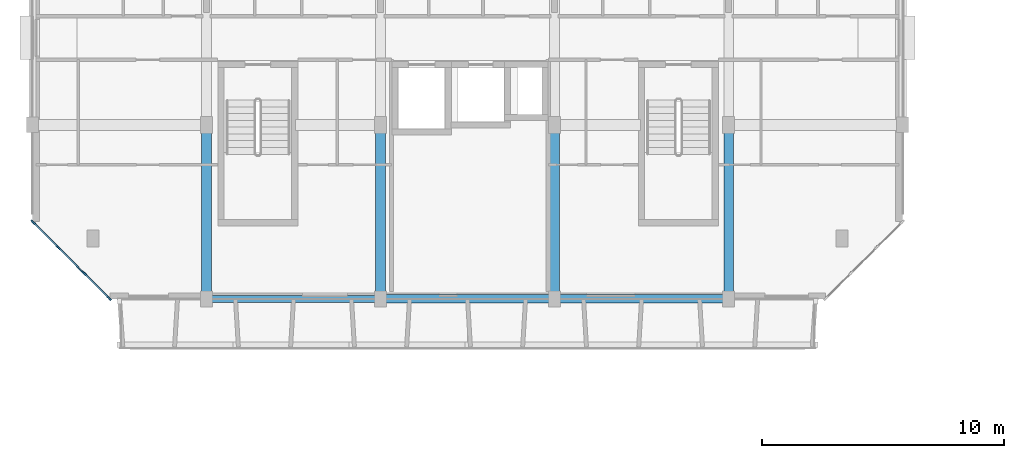
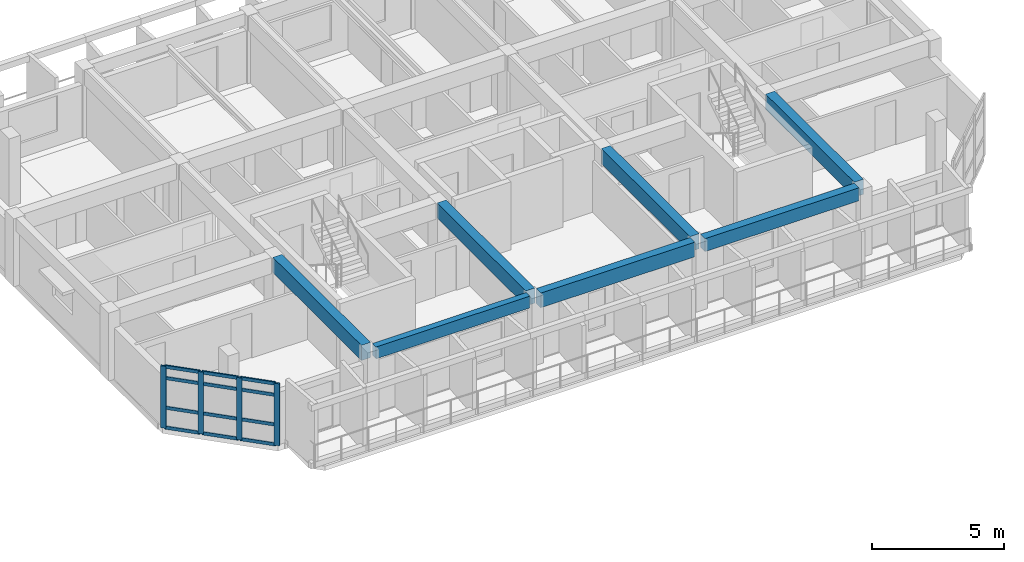
# One storey, part 4 of 51: 16 members, 7 beams, 1 element without a shape of its own.
"""IFC4 building model written with IfcOpenShell, lengths in metres."""

from ifc_helpers import new_model, si_unit, direction, frame, origin, origin_2d, place, context, subcontext, project, spatial, rectangle, extrude, material, layer, layer_set, material_profile, profile_set, type_object, element, aggregate, save


model = new_model("IFC4")

# Units and contexts
model_context = context("Model", 3, precision=1e-05, world=origin(), true_north=direction((0.0, 1.0)))
body_context = subcontext(model_context, "Body", "Model", "MODEL_VIEW")
ifc_project = project(units=[si_unit("LENGTHUNIT", "METRE"), si_unit("AREAUNIT", "SQUARE_METRE"), si_unit("VOLUMEUNIT", "CUBIC_METRE"), si_unit("PLANEANGLEUNIT", "RADIAN"), si_unit("MASSUNIT", "GRAM", prefix="KILO")], contexts=[model_context])

# Site, building, storey
site_placement = place(None, origin())
site = spatial("IfcSite", under=ifc_project, at=site_placement, CompositionType="ELEMENT")
building_placement = place(site_placement, origin())
building = spatial("IfcBuilding", under=site, at=building_placement, Name="Ochrevale Crest", CompositionType="ELEMENT")
storey_placement = place(building_placement, frame((0.0, 0.0, 11.85009765625)))
storey = spatial("IfcBuildingStorey", under=building, at=storey_placement, Name="L03", CompositionType="ELEMENT", Elevation=11.85009765625)

# Beams
ifc_material_1 = material(Name="Precast concrete C50/60", Category="concrete")
ifc_material_profile_1 = material_profile(ifc_material_1, rectangle(XDim=0.39990234375, YDim=0.699951171875, at=origin_2d()), Name="PC 400x700")
ifc_profile_set_1 = profile_set([ifc_material_profile_1], Name="Precast concrete C50/60")
beam_type_1 = type_object("IfcBeamType", Name="BM-PC400x700", PredefinedType="BEAM", material=ifc_profile_set_1)
for number, where, z_axis, x_axis, name in (
    (1, (7.199951171875, 72.22998046875, 2.7998046875), (0.0, 1.0, 0.0), (-1.0, 0.0, 0.0), "Block B L03 N-S beam X=7.2"),
    (2, (14.39990234375, 72.22998046875, 2.7998046875), (0.0, 1.0, 0.0), (-1.0, 0.0, 0.0), "Block B L03 N-S beam X=14.4"),
    (3, (21.60009765625, 72.22998046875, 2.7998046875), (0.0, 1.0, 0.0), (-1.0, 0.0, 0.0), "Block B L03 N-S beam X=21.6"),
    (4, (28.800048828125, 72.22998046875, 2.7998046875), (0.0, 1.0, 0.0), (-1.0, 0.0, 0.0), "Block B L03 N-S beam X=28.8"),
):
    element("IfcBeam", number, at=place(storey_placement, frame(where, z_axis=z_axis, x_axis=x_axis)), inside=storey, type_object=beam_type_1, Name=name, PredefinedType="BEAM", context=body_context, shape_type="SweptSolid", body=[
        extrude(rectangle(XDim=0.39990234375, YDim=0.699951171875, at=origin_2d()), origin(), (0.0, 0.0, 1.0), 6.739990234375),
    ])
ifc_material_2 = material(Name="Precast concrete C40/50", Category="concrete")
ifc_material_profile_2 = material_profile(ifc_material_2, rectangle(XDim=0.280029296875, YDim=0.550048828125, at=origin_2d()), Name="PC 280x550")
ifc_profile_set_2 = profile_set([ifc_material_profile_2], Name="Precast concrete C40/50")
beam_type_2 = type_object("IfcBeamType", Name="BM-SP280x550", PredefinedType="SPANDREL", material=ifc_profile_set_2)
beam_1_placement = place(storey_placement, frame((7.425048828125, 72.0, 2.875), z_axis=(1.0, 0.0, 0.0), x_axis=(0.0, 1.0, 0.0)))
element("IfcBeam", 5, at=beam_1_placement, inside=storey, type_object=beam_type_2, Name="Block B L03 E-W beam Y=72.0", PredefinedType="SPANDREL", context=body_context, shape_type="SweptSolid", body=[
    extrude(rectangle(XDim=0.280029296875, YDim=0.550048828125, at=origin_2d()), origin(), (0.0, 0.0, 1.0), 6.75),
])
ifc_material_profile_3 = material_profile(ifc_material_2, rectangle(XDim=0.35009765625, YDim=0.60009765625, at=origin_2d()), Name="PC 350x600")
ifc_profile_set_3 = profile_set([ifc_material_profile_3], Name="Precast concrete C40/50")
beam_type_3 = type_object("IfcBeamType", Name="BM-SP350x600", PredefinedType="SPANDREL", material=ifc_profile_set_3)
beam_2_placement = place(storey_placement, frame((21.824951171875, 72.0, 2.849853515625), z_axis=(1.0, 0.0, 0.0), x_axis=(0.0, 1.0, 0.0)))
element("IfcBeam", 6, at=beam_2_placement, inside=storey, type_object=beam_type_3, Name="Block B L03 E-W beam Y=72.0", PredefinedType="SPANDREL", context=body_context, shape_type="SweptSolid", body=[
    extrude(rectangle(XDim=0.35009765625, YDim=0.60009765625, at=origin_2d()), origin(), (0.0, 0.0, 1.0), 6.75),
])
ifc_material_profile_4 = material_profile(ifc_material_2, rectangle(XDim=0.35009765625, YDim=0.679931640625, at=origin_2d()), Name="PC 350x680")
ifc_profile_set_4 = profile_set([ifc_material_profile_4], Name="Precast concrete C40/50")
beam_type_4 = type_object("IfcBeamType", Name="BM-SP350x680", PredefinedType="SPANDREL", material=ifc_profile_set_4)
beam_3_placement = place(storey_placement, frame((14.625, 72.0, 2.809814453125), z_axis=(1.0, 0.0, 0.0), x_axis=(0.0, 1.0, 0.0)))
element("IfcBeam", 7, at=beam_3_placement, inside=storey, type_object=beam_type_4, Name="Block B L03 E-W beam Y=72.0", PredefinedType="SPANDREL", context=body_context, shape_type="SweptSolid", body=[
    extrude(rectangle(XDim=0.35009765625, YDim=0.679931640625, at=origin_2d()), origin(), (0.0, 0.0, 1.0), 6.75),
])

# Curtain wall, members
ifc_material_3 = material(Name="Anodised aluminium 6063-T5", Category="aluminium")
ifc_layer = layer(ifc_material_3, 0.14990234375)
ifc_layer_set = layer_set([ifc_layer], Name="Anodised aluminium 6063-T5")
curtain_wall_type = type_object("IfcCurtainWallType", Name="CW-WG-280x285", PredefinedType="NOTDEFINED", material=ifc_layer_set)
curtain_wall_placement = place(storey_placement, origin())
curtain_wall = element("IfcCurtainWall", 8, at=curtain_wall_placement, inside=storey, type_object=curtain_wall_type, Name="Block B L03 chamfered corner wintergarden curtain wall 8", PredefinedType="NOTDEFINED")
ifc_material_profile_5 = material_profile(ifc_material_3, rectangle(XDim=0.074951171875, YDim=0.219970703125, at=origin_2d()), Name="ALU 75x220")
ifc_profile_set_5 = profile_set([ifc_material_profile_5], Name="Anodised aluminium 6063-T5")
member_type_1 = type_object("IfcMemberType", Name="CW-MUL-75x220", PredefinedType="MULLION", material=ifc_profile_set_5)
member_1_placement = place(storey_placement, frame((0.026611328125, 75.173583984375, 0.0), z_axis=(0.0, 0.0, 1.0), x_axis=(0.707106781187, 0.707106781187, 0.0)))
member_1 = element("IfcMember", 9, at=member_1_placement, type_object=member_type_1, Name="CW16 mullion 1", PredefinedType="MULLION", context=body_context, shape_type="SweptSolid", body=[
    extrude(rectangle(XDim=0.074951171875, YDim=0.219970703125, at=origin_2d()), origin(), (0.0, 0.0, 1.0), 2.875),
])
member_2_placement = place(storey_placement, frame((1.066650390625, 74.13330078125, 0.0), z_axis=(0.0, 0.0, 1.0), x_axis=(0.707106781187, 0.707106781187, 0.0)))
member_2 = element("IfcMember", 10, at=member_2_placement, type_object=member_type_1, Name="CW16 mullion 2", PredefinedType="MULLION", context=body_context, shape_type="SweptSolid", body=[
    extrude(rectangle(XDim=0.074951171875, YDim=0.219970703125, at=origin_2d()), origin(), (0.0, 0.0, 1.0), 2.875),
])
member_3_placement = place(storey_placement, frame((2.13330078125, 73.066650390625, 0.0), z_axis=(0.0, 0.0, 1.0), x_axis=(0.707106781187, 0.707106781187, 0.0)))
member_3 = element("IfcMember", 11, at=member_3_placement, type_object=member_type_1, Name="CW16 mullion 3", PredefinedType="MULLION", context=body_context, shape_type="SweptSolid", body=[
    extrude(rectangle(XDim=0.074951171875, YDim=0.219970703125, at=origin_2d()), origin(), (0.0, 0.0, 1.0), 2.875),
])
member_4_placement = place(storey_placement, frame((3.173583984375, 72.026611328125, 0.0), z_axis=(0.0, 0.0, 1.0), x_axis=(0.707106781187, 0.707106781187, 0.0)))
member_4 = element("IfcMember", 12, at=member_4_placement, type_object=member_type_1, Name="CW16 mullion 4", PredefinedType="MULLION", context=body_context, shape_type="SweptSolid", body=[
    extrude(rectangle(XDim=0.074951171875, YDim=0.219970703125, at=origin_2d()), origin(), (0.0, 0.0, 1.0), 2.875),
])
ifc_material_profile_6 = material_profile(ifc_material_3, rectangle(XDim=0.06005859375, YDim=0.14990234375, at=origin_2d()), Name="ALU 60x150")
ifc_profile_set_6 = profile_set([ifc_material_profile_6], Name="Anodised aluminium 6063-T5")
member_type_2 = type_object("IfcMemberType", Name="CW-TRN-60x150", PredefinedType="USERDEFINED", material=ifc_profile_set_6)
member_5_placement = place(storey_placement, frame((0.052978515625, 75.14697265625, 0.02978515625), z_axis=(0.707106781187, -0.707106781187, 0.0), x_axis=(0.707106781187, 0.707106781187, 0.0)))
member_5 = element("IfcMember", 13, at=member_5_placement, type_object=member_type_2, Name="CW16 transom 1.1", ObjectType="TRANSOM", PredefinedType="USERDEFINED", context=body_context, shape_type="SweptSolid", body=[
    extrude(rectangle(XDim=0.06005859375, YDim=0.14990234375, at=origin_2d()), origin(), (0.0, 0.0, 1.0), 1.39599609375),
])
member_6_placement = place(storey_placement, frame((0.052978515625, 75.14697265625, 0.949951171875), z_axis=(0.707106781187, -0.707106781187, 0.0), x_axis=(0.707106781187, 0.707106781187, 0.0)))
member_6 = element("IfcMember", 14, at=member_6_placement, type_object=member_type_2, Name="CW16 transom 1.2", ObjectType="TRANSOM", PredefinedType="USERDEFINED", context=body_context, shape_type="SweptSolid", body=[
    extrude(rectangle(XDim=0.06005859375, YDim=0.14990234375, at=origin_2d()), origin(), (0.0, 0.0, 1.0), 1.39599609375),
])
member_7_placement = place(storey_placement, frame((0.052978515625, 75.14697265625, 2.324951171875), z_axis=(0.707106781187, -0.707106781187, 0.0), x_axis=(0.707106781187, 0.707106781187, 0.0)))
member_7 = element("IfcMember", 15, at=member_7_placement, type_object=member_type_2, Name="CW16 transom 1.3", ObjectType="TRANSOM", PredefinedType="USERDEFINED", context=body_context, shape_type="SweptSolid", body=[
    extrude(rectangle(XDim=0.06005859375, YDim=0.14990234375, at=origin_2d()), origin(), (0.0, 0.0, 1.0), 1.39599609375),
])
member_8_placement = place(storey_placement, frame((0.052978515625, 75.14697265625, 2.844970703125), z_axis=(0.707106781187, -0.707106781187, 0.0), x_axis=(0.707106781187, 0.707106781187, 0.0)))
member_8 = element("IfcMember", 16, at=member_8_placement, type_object=member_type_2, Name="CW16 transom 1.4", ObjectType="TRANSOM", PredefinedType="USERDEFINED", context=body_context, shape_type="SweptSolid", body=[
    extrude(rectangle(XDim=0.06005859375, YDim=0.14990234375, at=origin_2d()), origin(), (0.0, 0.0, 1.0), 1.39599609375),
])
member_9_placement = place(storey_placement, frame((1.09326171875, 74.10693359375, 0.02978515625), z_axis=(0.707106781187, -0.707106781187, 0.0), x_axis=(0.707106781187, 0.707106781187, 0.0)))
member_9 = element("IfcMember", 17, at=member_9_placement, type_object=member_type_2, Name="CW16 transom 2.1", ObjectType="TRANSOM", PredefinedType="USERDEFINED", context=body_context, shape_type="SweptSolid", body=[
    extrude(rectangle(XDim=0.06005859375, YDim=0.14990234375, at=origin_2d()), origin(), (0.0, 0.0, 1.0), 1.43359375),
])
member_10_placement = place(storey_placement, frame((1.09326171875, 74.10693359375, 0.949951171875), z_axis=(0.707106781187, -0.707106781187, 0.0), x_axis=(0.707106781187, 0.707106781187, 0.0)))
member_10 = element("IfcMember", 18, at=member_10_placement, type_object=member_type_2, Name="CW16 transom 2.2", ObjectType="TRANSOM", PredefinedType="USERDEFINED", context=body_context, shape_type="SweptSolid", body=[
    extrude(rectangle(XDim=0.06005859375, YDim=0.14990234375, at=origin_2d()), origin(), (0.0, 0.0, 1.0), 1.43359375),
])
member_11_placement = place(storey_placement, frame((1.09326171875, 74.10693359375, 2.324951171875), z_axis=(0.707106781187, -0.707106781187, 0.0), x_axis=(0.707106781187, 0.707106781187, 0.0)))
member_11 = element("IfcMember", 19, at=member_11_placement, type_object=member_type_2, Name="CW16 transom 2.3", ObjectType="TRANSOM", PredefinedType="USERDEFINED", context=body_context, shape_type="SweptSolid", body=[
    extrude(rectangle(XDim=0.06005859375, YDim=0.14990234375, at=origin_2d()), origin(), (0.0, 0.0, 1.0), 1.43359375),
])
member_12_placement = place(storey_placement, frame((1.09326171875, 74.10693359375, 2.844970703125), z_axis=(0.707106781187, -0.707106781187, 0.0), x_axis=(0.707106781187, 0.707106781187, 0.0)))
member_12 = element("IfcMember", 20, at=member_12_placement, type_object=member_type_2, Name="CW16 transom 2.4", ObjectType="TRANSOM", PredefinedType="USERDEFINED", context=body_context, shape_type="SweptSolid", body=[
    extrude(rectangle(XDim=0.06005859375, YDim=0.14990234375, at=origin_2d()), origin(), (0.0, 0.0, 1.0), 1.43359375),
])
member_13_placement = place(storey_placement, frame((2.159912109375, 73.0400390625, 0.02978515625), z_axis=(0.707106781187, -0.707106781187, 0.0), x_axis=(0.707106781187, 0.707106781187, 0.0)))
member_13 = element("IfcMember", 21, at=member_13_placement, type_object=member_type_2, Name="CW16 transom 3.1", ObjectType="TRANSOM", PredefinedType="USERDEFINED", context=body_context, shape_type="SweptSolid", body=[
    extrude(rectangle(XDim=0.06005859375, YDim=0.14990234375, at=origin_2d()), origin(), (0.0, 0.0, 1.0), 1.39599609375),
])
member_14_placement = place(storey_placement, frame((2.159912109375, 73.0400390625, 0.949951171875), z_axis=(0.707106781187, -0.707106781187, 0.0), x_axis=(0.707106781187, 0.707106781187, 0.0)))
member_14 = element("IfcMember", 22, at=member_14_placement, type_object=member_type_2, Name="CW16 transom 3.2", ObjectType="TRANSOM", PredefinedType="USERDEFINED", context=body_context, shape_type="SweptSolid", body=[
    extrude(rectangle(XDim=0.06005859375, YDim=0.14990234375, at=origin_2d()), origin(), (0.0, 0.0, 1.0), 1.39599609375),
])
member_15_placement = place(storey_placement, frame((2.159912109375, 73.0400390625, 2.324951171875), z_axis=(0.707106781187, -0.707106781187, 0.0), x_axis=(0.707106781187, 0.707106781187, 0.0)))
member_15 = element("IfcMember", 23, at=member_15_placement, type_object=member_type_2, Name="CW16 transom 3.3", ObjectType="TRANSOM", PredefinedType="USERDEFINED", context=body_context, shape_type="SweptSolid", body=[
    extrude(rectangle(XDim=0.06005859375, YDim=0.14990234375, at=origin_2d()), origin(), (0.0, 0.0, 1.0), 1.39599609375),
])
member_16_placement = place(storey_placement, frame((2.159912109375, 73.0400390625, 2.844970703125), z_axis=(0.707106781187, -0.707106781187, 0.0), x_axis=(0.707106781187, 0.707106781187, 0.0)))
member_16 = element("IfcMember", 24, at=member_16_placement, type_object=member_type_2, Name="CW16 transom 3.4", ObjectType="TRANSOM", PredefinedType="USERDEFINED", context=body_context, shape_type="SweptSolid", body=[
    extrude(rectangle(XDim=0.06005859375, YDim=0.14990234375, at=origin_2d()), origin(), (0.0, 0.0, 1.0), 1.39599609375),
])
aggregate(curtain_wall, [member_1, member_2, member_3, member_4, member_5, member_6, member_7, member_8, member_9, member_10, member_11, member_12, member_13, member_14, member_15, member_16])

save(model, "model.ifc")
